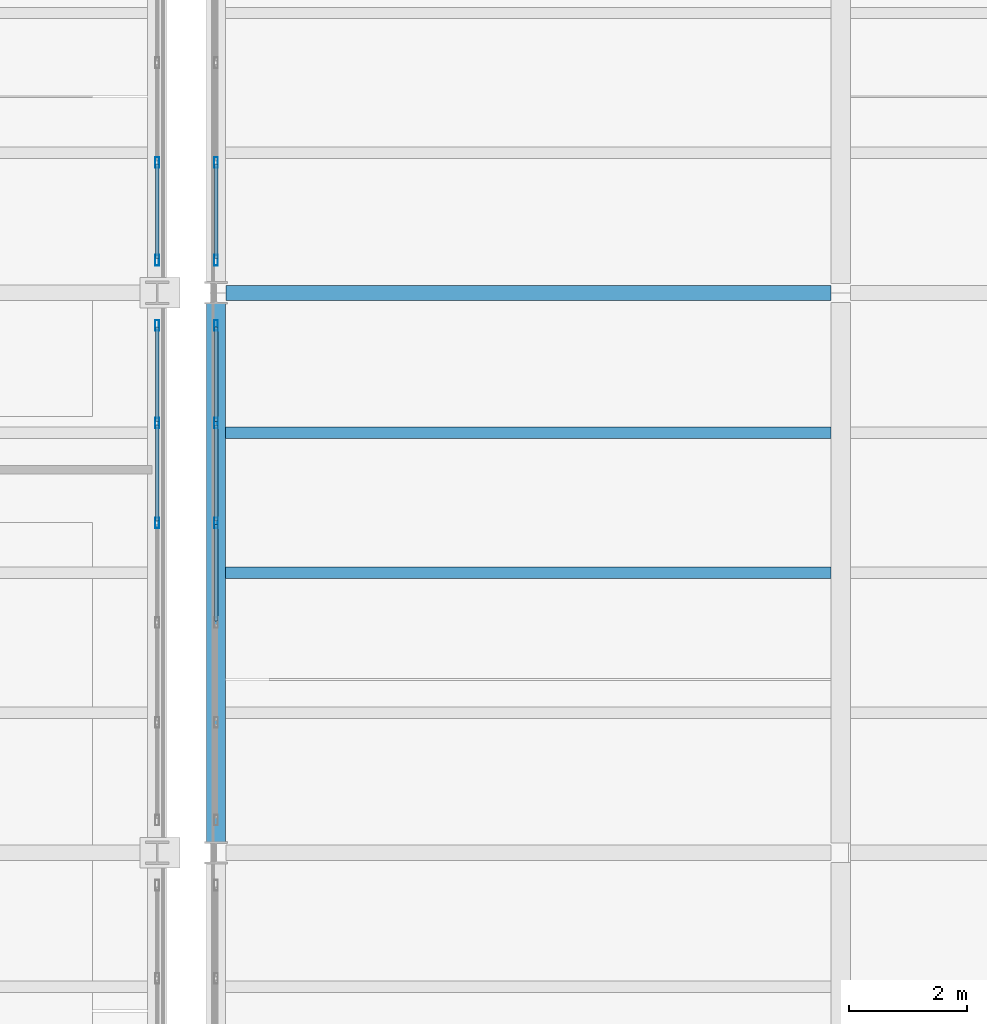
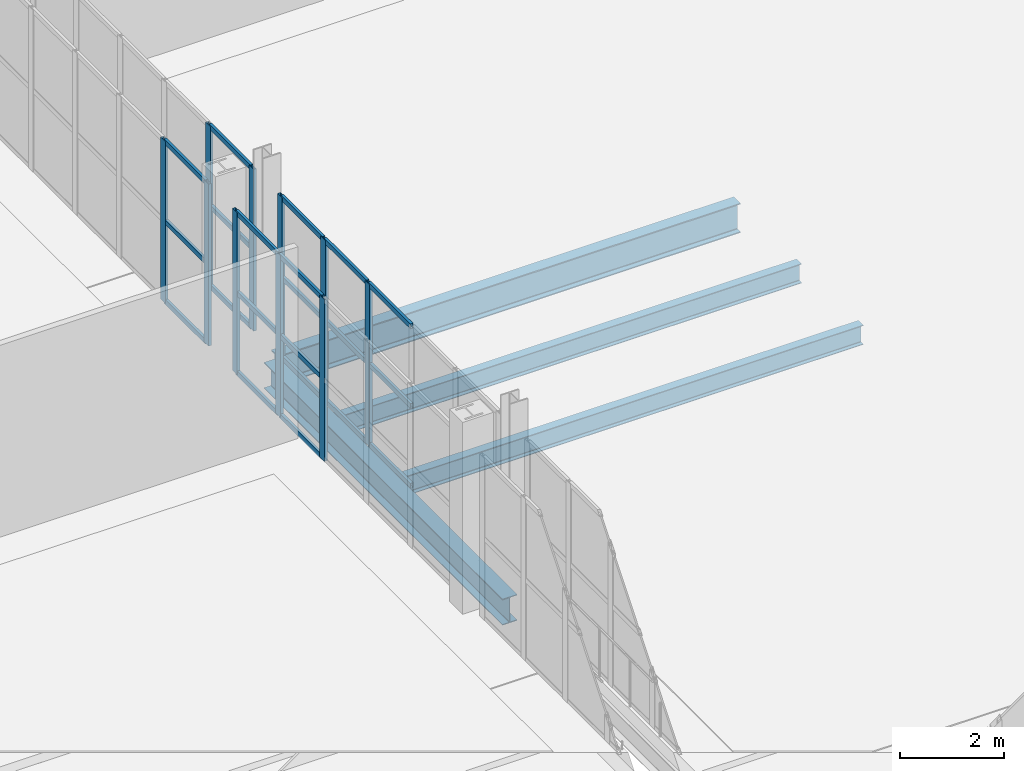
# One storey, part 36 of 156: 31 members, 4 beams, 4 elements without a shape of their own.
"""IFC4 building model written with IfcOpenShell, lengths in metres."""

from ifc_helpers import new_model, si_unit, direction, frame, origin, origin_2d, place, context, subcontext, project, spatial, hollow_rectangle, i_section, extrude, material, material_profile, profile_set, type_object, element, aggregate, save


model = new_model("IFC4")

# Units and contexts
model_context = context("Model", 3, precision=1e-05, world=origin(), true_north=direction((0.0, 1.0)))
body_context = subcontext(model_context, "Body", "Model", "MODEL_VIEW")
ifc_project = project(units=[si_unit("LENGTHUNIT", "METRE"), si_unit("AREAUNIT", "SQUARE_METRE"), si_unit("VOLUMEUNIT", "CUBIC_METRE"), si_unit("PLANEANGLEUNIT", "RADIAN"), si_unit("MASSUNIT", "GRAM", prefix="KILO")], contexts=[model_context])

# Site, building, storey
site_placement = place(None, origin())
site = spatial("IfcSite", under=ifc_project, at=site_placement, CompositionType="ELEMENT")
building_placement = place(site_placement, origin())
building = spatial("IfcBuilding", under=site, at=building_placement, Name="Caurita Quay Ferry Terminal", CompositionType="ELEMENT")
storey_placement = place(building_placement, frame((0.0, 0.0, 5.39990234375)))
storey = spatial("IfcBuildingStorey", under=building, at=storey_placement, Name="L01", CompositionType="ELEMENT", Elevation=5.39990234375)

# Beams
ifc_material_1 = material(Name="Structural steel ASTM A992 Gr. 50", Category="steel")
ifc_material_profile_1 = material_profile(ifc_material_1, i_section(OverallWidth=0.3251953125, OverallDepth=0.612060546875, WebThickness=0.0126953125, FlangeThickness=0.01904296875, FilletRadius=0.01513671875, at=origin_2d()), Name="W24X104")
ifc_profile_set_1 = profile_set([ifc_material_profile_1], Name="Structural steel ASTM A992 Gr. 50")
beam_type_1 = type_object("IfcBeamType", Name="BM-GR-W24A", PredefinedType="BEAM", material=ifc_profile_set_1)
beam_1_placement = place(storey_placement, frame((88.60009765625, 43.8671875, -0.60595703125), z_axis=(0.0, 1.0, 0.0), x_axis=(-1.0, 0.0, 0.0)))
element("IfcBeam", 1, at=beam_1_placement, inside=storey, type_object=beam_type_1, Name="L01 Beam BM-V2-L01-Y-886-439", PredefinedType="BEAM", context=body_context, shape_type="SweptSolid", body=[
    extrude(i_section(OverallWidth=0.3251953125, OverallDepth=0.612060546875, WebThickness=0.0126953125, FlangeThickness=0.01904296875, FilletRadius=0.01513671875, at=origin_2d()), origin(), (0.0, 0.0, 1.0), 9.16552734375),
])
ifc_material_profile_2 = material_profile(ifc_material_1, i_section(OverallWidth=0.256591796875, OverallDepth=0.693359375, WebThickness=0.014404296875, FlangeThickness=0.023681640625, FilletRadius=0.017822265625, at=origin_2d()), Name="W27X114")
ifc_profile_set_2 = profile_set([ifc_material_profile_2], Name="Structural steel ASTM A992 Gr. 50")
beam_type_2 = type_object("IfcBeamType", Name="BM-GR-W27A", PredefinedType="BEAM", material=ifc_profile_set_2)
beam_2_placement = place(storey_placement, frame((88.76953125, 53.199951171875, -0.646484375), z_axis=(1.0, 0.0, 0.0), x_axis=(0.0, 1.0, 0.0)))
element("IfcBeam", 2, at=beam_2_placement, inside=storey, type_object=beam_type_2, Name="L01 Beam BM-V2-L01-X-888-532", PredefinedType="BEAM", context=body_context, shape_type="SweptSolid", body=[
    extrude(i_section(OverallWidth=0.256591796875, OverallDepth=0.693359375, WebThickness=0.014404296875, FlangeThickness=0.023681640625, FilletRadius=0.017822265625, at=origin_2d()), origin(), (0.0, 0.0, 1.0), 10.26220703125),
])
ifc_material_profile_3 = material_profile(ifc_material_1, i_section(OverallWidth=0.1904296875, OverallDepth=0.457275390625, WebThickness=0.009033203125, FlangeThickness=0.014404296875, FilletRadius=0.0126953125, at=origin_2d()), Name="W18X50")
ifc_profile_set_3 = profile_set([ifc_material_profile_3], Name="Structural steel ASTM A992 Gr. 50")
beam_type_3 = type_object("IfcBeamType", Name="BM-JS-W18B", PredefinedType="JOIST", material=ifc_profile_set_3)
for number, where, z_axis, x_axis, name in (
    (3, (88.762451171875, 48.449951171875, -0.528564453125), (1.0, 0.0, 0.0), (0.0, 1.0, 0.0), "L01 Beam JS-V2-L01-005"),
    (4, (88.762451171875, 50.824951171875, -0.528564453125), (1.0, 0.0, 0.0), (0.0, 1.0, 0.0), "L01 Beam JS-V2-L01-006"),
):
    element("IfcBeam", number, at=place(storey_placement, frame(where, z_axis=z_axis, x_axis=x_axis)), inside=storey, type_object=beam_type_3, Name=name, PredefinedType="JOIST", context=body_context, shape_type="SweptSolid", body=[
        extrude(i_section(OverallWidth=0.1904296875, OverallDepth=0.457275390625, WebThickness=0.009033203125, FlangeThickness=0.014404296875, FilletRadius=0.0126953125, at=origin_2d()), origin(), (0.0, 0.0, 1.0), 10.275146484375),
    ])

# Curtain wall, members
ifc_material_2 = material(Name="Laminated solar-control insulated glass", Category="glass")
curtain_wall_type = type_object("IfcCurtainWallType", Name="CW-SYS-12", PredefinedType="NOTDEFINED", material=ifc_material_2)
curtain_wall_1_placement = place(storey_placement, origin())
curtain_wall_1 = element("IfcCurtainWall", 5, at=curtain_wall_1_placement, inside=storey, type_object=curtain_wall_type, Name="Concourse Gable Curtain Wall 081", PredefinedType="NOTDEFINED")
ifc_material_3 = material(Name="Anodized aluminium 6063-T6", Category="aluminium")
ifc_material_profile_4 = material_profile(ifc_material_3, hollow_rectangle(XDim=0.06494140625, YDim=0.179931640625, WallThickness=0.00390625, at=origin_2d()), Name="ALU-MUL-65X180")
ifc_profile_set_4 = profile_set([ifc_material_profile_4], Name="Anodized aluminium 6063-T6")
member_type_1 = type_object("IfcMemberType", Name="CW-MUL-180", PredefinedType="MULLION", material=ifc_profile_set_4)
member_1_placement = place(storey_placement, frame((87.60009765625, 49.2958984375, 0.0), z_axis=(0.0, 0.0, 1.0), x_axis=(-1.0, 0.0, 0.0)))
member_1 = element("IfcMember", 6, at=member_1_placement, type_object=member_type_1, Name="CW-GBL-081 Mullion 4", PredefinedType="MULLION", context=body_context, shape_type="SweptSolid", body=[
    extrude(hollow_rectangle(XDim=0.06494140625, YDim=0.179931640625, WallThickness=0.00390625, at=origin_2d()), origin(), (0.0, 0.0, 1.0), 3.800048828125),
])
member_2_placement = place(storey_placement, frame((87.60009765625, 50.988037109375, 0.0), z_axis=(0.0, 0.0, 1.0), x_axis=(-1.0, 0.0, 0.0)))
member_2 = element("IfcMember", 7, at=member_2_placement, type_object=member_type_1, Name="CW-GBL-081 Mullion 5", PredefinedType="MULLION", context=body_context, shape_type="SweptSolid", body=[
    extrude(hollow_rectangle(XDim=0.06494140625, YDim=0.179931640625, WallThickness=0.00390625, at=origin_2d()), origin(), (0.0, 0.0, 1.0), 3.800048828125),
])
member_3_placement = place(storey_placement, frame((87.60009765625, 52.6474609375, 0.0), z_axis=(0.0, 0.0, 1.0), x_axis=(-1.0, 0.0, 0.0)))
member_3 = element("IfcMember", 8, at=member_3_placement, type_object=member_type_1, Name="CW-GBL-081 Mullion 6", PredefinedType="MULLION", context=body_context, shape_type="SweptSolid", body=[
    extrude(hollow_rectangle(XDim=0.06494140625, YDim=0.179931640625, WallThickness=0.00390625, at=origin_2d()), origin(), (0.0, 0.0, 1.0), 3.800048828125),
])

curtain_wall_2_placement = place(storey_placement, origin())
curtain_wall_2 = element("IfcCurtainWall", 9, at=curtain_wall_2_placement, inside=storey, type_object=curtain_wall_type, Name="Concourse Gable Curtain Wall 082", PredefinedType="NOTDEFINED")
member_4_placement = place(storey_placement, frame((87.60009765625, 53.75244140625, 0.0), z_axis=(0.0, 0.0, 1.0), x_axis=(-1.0, 0.0, 0.0)))
member_4 = element("IfcMember", 10, at=member_4_placement, type_object=member_type_1, Name="CW-GBL-082 Mullion 1", PredefinedType="MULLION", context=body_context, shape_type="SweptSolid", body=[
    extrude(hollow_rectangle(XDim=0.06494140625, YDim=0.179931640625, WallThickness=0.00390625, at=origin_2d()), origin(), (0.0, 0.0, 1.0), 3.800048828125),
])
member_5_placement = place(storey_placement, frame((87.60009765625, 55.412109375, 0.0), z_axis=(0.0, 0.0, 1.0), x_axis=(-1.0, 0.0, 0.0)))
member_5 = element("IfcMember", 11, at=member_5_placement, type_object=member_type_1, Name="CW-GBL-082 Mullion 2", PredefinedType="MULLION", context=body_context, shape_type="SweptSolid", body=[
    extrude(hollow_rectangle(XDim=0.06494140625, YDim=0.179931640625, WallThickness=0.00390625, at=origin_2d()), origin(), (0.0, 0.0, 1.0), 3.800048828125),
])

curtain_wall_3_placement = place(storey_placement, origin())
curtain_wall_3 = element("IfcCurtainWall", 12, at=curtain_wall_3_placement, inside=storey, type_object=curtain_wall_type, Name="Concourse Gable Curtain Wall 084", PredefinedType="NOTDEFINED")
member_6_placement = place(storey_placement, frame((88.60009765625, 49.2958984375, 0.0), z_axis=(0.0, 0.0, 1.0), x_axis=(-1.0, 0.0, 0.0)))
member_6 = element("IfcMember", 13, at=member_6_placement, type_object=member_type_1, Name="CW-GBL-084 Mullion 4", PredefinedType="MULLION", context=body_context, shape_type="SweptSolid", body=[
    extrude(hollow_rectangle(XDim=0.06494140625, YDim=0.179931640625, WallThickness=0.00390625, at=origin_2d()), origin(), (0.0, 0.0, 1.0), 3.800048828125),
])
member_7_placement = place(storey_placement, frame((88.60009765625, 50.988037109375, 0.0), z_axis=(0.0, 0.0, 1.0), x_axis=(-1.0, 0.0, 0.0)))
member_7 = element("IfcMember", 14, at=member_7_placement, type_object=member_type_1, Name="CW-GBL-084 Mullion 5", PredefinedType="MULLION", context=body_context, shape_type="SweptSolid", body=[
    extrude(hollow_rectangle(XDim=0.06494140625, YDim=0.179931640625, WallThickness=0.00390625, at=origin_2d()), origin(), (0.0, 0.0, 1.0), 3.800048828125),
])
member_8_placement = place(storey_placement, frame((88.60009765625, 52.6474609375, 0.0), z_axis=(0.0, 0.0, 1.0), x_axis=(-1.0, 0.0, 0.0)))
member_8 = element("IfcMember", 15, at=member_8_placement, type_object=member_type_1, Name="CW-GBL-084 Mullion 6", PredefinedType="MULLION", context=body_context, shape_type="SweptSolid", body=[
    extrude(hollow_rectangle(XDim=0.06494140625, YDim=0.179931640625, WallThickness=0.00390625, at=origin_2d()), origin(), (0.0, 0.0, 1.0), 3.800048828125),
])

curtain_wall_4_placement = place(storey_placement, origin())
curtain_wall_4 = element("IfcCurtainWall", 16, at=curtain_wall_4_placement, inside=storey, type_object=curtain_wall_type, Name="Concourse Gable Curtain Wall 085", PredefinedType="NOTDEFINED")
member_9_placement = place(storey_placement, frame((88.60009765625, 53.75244140625, 0.0), z_axis=(0.0, 0.0, 1.0), x_axis=(-1.0, 0.0, 0.0)))
member_9 = element("IfcMember", 17, at=member_9_placement, type_object=member_type_1, Name="CW-GBL-085 Mullion 1", PredefinedType="MULLION", context=body_context, shape_type="SweptSolid", body=[
    extrude(hollow_rectangle(XDim=0.06494140625, YDim=0.179931640625, WallThickness=0.00390625, at=origin_2d()), origin(), (0.0, 0.0, 1.0), 3.800048828125),
])
member_10_placement = place(storey_placement, frame((88.60009765625, 55.412109375, 0.0), z_axis=(0.0, 0.0, 1.0), x_axis=(-1.0, 0.0, 0.0)))
member_10 = element("IfcMember", 18, at=member_10_placement, type_object=member_type_1, Name="CW-GBL-085 Mullion 2", PredefinedType="MULLION", context=body_context, shape_type="SweptSolid", body=[
    extrude(hollow_rectangle(XDim=0.06494140625, YDim=0.179931640625, WallThickness=0.00390625, at=origin_2d()), origin(), (0.0, 0.0, 1.0), 3.800048828125),
])

# Member
ifc_material_profile_5 = material_profile(ifc_material_3, hollow_rectangle(XDim=0.06005859375, YDim=0.114990234375, WallThickness=0.00341796875, at=origin_2d()), Name="ALU-TRN-60X115")
ifc_profile_set_5 = profile_set([ifc_material_profile_5], Name="Anodized aluminium 6063-T6")
member_type_2 = type_object("IfcMemberType", Name="CW-TRN-115", PredefinedType="USERDEFINED", material=ifc_profile_set_5)
member_11_placement = place(storey_placement, frame((87.60009765625, 49.326416015625, 0.030029296875), z_axis=(0.0, 1.0, 0.0), x_axis=(-1.0, 0.0, 0.0)))
member_11 = element("IfcMember", 19, at=member_11_placement, type_object=member_type_2, Name="CW-GBL-081 Transom 10", ObjectType="TRANSOM", PredefinedType="USERDEFINED", context=body_context, shape_type="SweptSolid", body=[
    extrude(hollow_rectangle(XDim=0.06005859375, YDim=0.114990234375, WallThickness=0.00341796875, at=origin_2d()), origin(), (0.0, 0.0, 1.0), 1.631103515625),
])

member_12_placement = place(storey_placement, frame((87.60009765625, 49.326416015625, 1.900146484375), z_axis=(0.0, 1.0, 0.0), x_axis=(-1.0, 0.0, 0.0)))
member_12 = element("IfcMember", 20, at=member_12_placement, type_object=member_type_2, Name="CW-GBL-081 Transom 11", ObjectType="TRANSOM", PredefinedType="USERDEFINED", context=body_context, shape_type="SweptSolid", body=[
    extrude(hollow_rectangle(XDim=0.06005859375, YDim=0.114990234375, WallThickness=0.00341796875, at=origin_2d()), origin(), (0.0, 0.0, 1.0), 1.631103515625),
])

member_13_placement = place(storey_placement, frame((87.60009765625, 49.326416015625, 3.77001953125), z_axis=(0.0, 1.0, 0.0), x_axis=(-1.0, 0.0, 0.0)))
member_13 = element("IfcMember", 21, at=member_13_placement, type_object=member_type_2, Name="CW-GBL-081 Transom 12", ObjectType="TRANSOM", PredefinedType="USERDEFINED", context=body_context, shape_type="SweptSolid", body=[
    extrude(hollow_rectangle(XDim=0.06005859375, YDim=0.114990234375, WallThickness=0.00341796875, at=origin_2d()), origin(), (0.0, 0.0, 1.0), 1.631103515625),
])

member_14_placement = place(storey_placement, frame((87.60009765625, 51.0185546875, 0.030029296875), z_axis=(0.0, 1.0, 0.0), x_axis=(-1.0, 0.0, 0.0)))
member_14 = element("IfcMember", 22, at=member_14_placement, type_object=member_type_2, Name="CW-GBL-081 Transom 13", ObjectType="TRANSOM", PredefinedType="USERDEFINED", context=body_context, shape_type="SweptSolid", body=[
    extrude(hollow_rectangle(XDim=0.06005859375, YDim=0.114990234375, WallThickness=0.00341796875, at=origin_2d()), origin(), (0.0, 0.0, 1.0), 1.598388671875),
])

member_15_placement = place(storey_placement, frame((87.60009765625, 51.0185546875, 1.900146484375), z_axis=(0.0, 1.0, 0.0), x_axis=(-1.0, 0.0, 0.0)))
member_15 = element("IfcMember", 23, at=member_15_placement, type_object=member_type_2, Name="CW-GBL-081 Transom 14", ObjectType="TRANSOM", PredefinedType="USERDEFINED", context=body_context, shape_type="SweptSolid", body=[
    extrude(hollow_rectangle(XDim=0.06005859375, YDim=0.114990234375, WallThickness=0.00341796875, at=origin_2d()), origin(), (0.0, 0.0, 1.0), 1.598388671875),
])

member_16_placement = place(storey_placement, frame((87.60009765625, 51.0185546875, 3.77001953125), z_axis=(0.0, 1.0, 0.0), x_axis=(-1.0, 0.0, 0.0)))
member_16 = element("IfcMember", 24, at=member_16_placement, type_object=member_type_2, Name="CW-GBL-081 Transom 15", ObjectType="TRANSOM", PredefinedType="USERDEFINED", context=body_context, shape_type="SweptSolid", body=[
    extrude(hollow_rectangle(XDim=0.06005859375, YDim=0.114990234375, WallThickness=0.00341796875, at=origin_2d()), origin(), (0.0, 0.0, 1.0), 1.598388671875),
])

aggregate(curtain_wall_1, [member_1, member_2, member_3, member_11, member_12, member_13, member_14, member_15, member_16])

member_17_placement = place(storey_placement, frame((87.60009765625, 53.782958984375, 0.030029296875), z_axis=(0.0, 1.0, 0.0), x_axis=(-1.0, 0.0, 0.0)))
member_17 = element("IfcMember", 25, at=member_17_placement, type_object=member_type_2, Name="CW-GBL-082 Transom 1", ObjectType="TRANSOM", PredefinedType="USERDEFINED", context=body_context, shape_type="SweptSolid", body=[
    extrude(hollow_rectangle(XDim=0.06005859375, YDim=0.114990234375, WallThickness=0.00341796875, at=origin_2d()), origin(), (0.0, 0.0, 1.0), 1.5986328125),
])

member_18_placement = place(storey_placement, frame((87.60009765625, 53.782958984375, 1.900146484375), z_axis=(0.0, 1.0, 0.0), x_axis=(-1.0, 0.0, 0.0)))
member_18 = element("IfcMember", 26, at=member_18_placement, type_object=member_type_2, Name="CW-GBL-082 Transom 2", ObjectType="TRANSOM", PredefinedType="USERDEFINED", context=body_context, shape_type="SweptSolid", body=[
    extrude(hollow_rectangle(XDim=0.06005859375, YDim=0.114990234375, WallThickness=0.00341796875, at=origin_2d()), origin(), (0.0, 0.0, 1.0), 1.5986328125),
])

member_19_placement = place(storey_placement, frame((87.60009765625, 53.782958984375, 3.77001953125), z_axis=(0.0, 1.0, 0.0), x_axis=(-1.0, 0.0, 0.0)))
member_19 = element("IfcMember", 27, at=member_19_placement, type_object=member_type_2, Name="CW-GBL-082 Transom 3", ObjectType="TRANSOM", PredefinedType="USERDEFINED", context=body_context, shape_type="SweptSolid", body=[
    extrude(hollow_rectangle(XDim=0.06005859375, YDim=0.114990234375, WallThickness=0.00341796875, at=origin_2d()), origin(), (0.0, 0.0, 1.0), 1.5986328125),
])

aggregate(curtain_wall_2, [member_4, member_5, member_17, member_18, member_19])

member_20_placement = place(storey_placement, frame((88.60009765625, 47.634521484375, 0.030029296875), z_axis=(0.0, 1.0, 0.0), x_axis=(-1.0, 0.0, 0.0)))
member_20 = element("IfcMember", 28, at=member_20_placement, type_object=member_type_2, Name="CW-GBL-084 Transom 7", ObjectType="TRANSOM", PredefinedType="USERDEFINED", context=body_context, shape_type="SweptSolid", body=[
    extrude(hollow_rectangle(XDim=0.06005859375, YDim=0.114990234375, WallThickness=0.00341796875, at=origin_2d()), origin(), (0.0, 0.0, 1.0), 1.630859375),
])

member_21_placement = place(storey_placement, frame((88.60009765625, 47.634521484375, 1.900146484375), z_axis=(0.0, 1.0, 0.0), x_axis=(-1.0, 0.0, 0.0)))
member_21 = element("IfcMember", 29, at=member_21_placement, type_object=member_type_2, Name="CW-GBL-084 Transom 8", ObjectType="TRANSOM", PredefinedType="USERDEFINED", context=body_context, shape_type="SweptSolid", body=[
    extrude(hollow_rectangle(XDim=0.06005859375, YDim=0.114990234375, WallThickness=0.00341796875, at=origin_2d()), origin(), (0.0, 0.0, 1.0), 1.630859375),
])

member_22_placement = place(storey_placement, frame((88.60009765625, 47.634521484375, 3.77001953125), z_axis=(0.0, 1.0, 0.0), x_axis=(-1.0, 0.0, 0.0)))
member_22 = element("IfcMember", 30, at=member_22_placement, type_object=member_type_2, Name="CW-GBL-084 Transom 9", ObjectType="TRANSOM", PredefinedType="USERDEFINED", context=body_context, shape_type="SweptSolid", body=[
    extrude(hollow_rectangle(XDim=0.06005859375, YDim=0.114990234375, WallThickness=0.00341796875, at=origin_2d()), origin(), (0.0, 0.0, 1.0), 1.630859375),
])

member_23_placement = place(storey_placement, frame((88.60009765625, 49.326416015625, 0.030029296875), z_axis=(0.0, 1.0, 0.0), x_axis=(-1.0, 0.0, 0.0)))
member_23 = element("IfcMember", 31, at=member_23_placement, type_object=member_type_2, Name="CW-GBL-084 Transom 10", ObjectType="TRANSOM", PredefinedType="USERDEFINED", context=body_context, shape_type="SweptSolid", body=[
    extrude(hollow_rectangle(XDim=0.06005859375, YDim=0.114990234375, WallThickness=0.00341796875, at=origin_2d()), origin(), (0.0, 0.0, 1.0), 1.631103515625),
])

member_24_placement = place(storey_placement, frame((88.60009765625, 49.326416015625, 1.900146484375), z_axis=(0.0, 1.0, 0.0), x_axis=(-1.0, 0.0, 0.0)))
member_24 = element("IfcMember", 32, at=member_24_placement, type_object=member_type_2, Name="CW-GBL-084 Transom 11", ObjectType="TRANSOM", PredefinedType="USERDEFINED", context=body_context, shape_type="SweptSolid", body=[
    extrude(hollow_rectangle(XDim=0.06005859375, YDim=0.114990234375, WallThickness=0.00341796875, at=origin_2d()), origin(), (0.0, 0.0, 1.0), 1.631103515625),
])

member_25_placement = place(storey_placement, frame((88.60009765625, 49.326416015625, 3.77001953125), z_axis=(0.0, 1.0, 0.0), x_axis=(-1.0, 0.0, 0.0)))
member_25 = element("IfcMember", 33, at=member_25_placement, type_object=member_type_2, Name="CW-GBL-084 Transom 12", ObjectType="TRANSOM", PredefinedType="USERDEFINED", context=body_context, shape_type="SweptSolid", body=[
    extrude(hollow_rectangle(XDim=0.06005859375, YDim=0.114990234375, WallThickness=0.00341796875, at=origin_2d()), origin(), (0.0, 0.0, 1.0), 1.631103515625),
])

member_26_placement = place(storey_placement, frame((88.60009765625, 51.0185546875, 0.030029296875), z_axis=(0.0, 1.0, 0.0), x_axis=(-1.0, 0.0, 0.0)))
member_26 = element("IfcMember", 34, at=member_26_placement, type_object=member_type_2, Name="CW-GBL-084 Transom 13", ObjectType="TRANSOM", PredefinedType="USERDEFINED", context=body_context, shape_type="SweptSolid", body=[
    extrude(hollow_rectangle(XDim=0.06005859375, YDim=0.114990234375, WallThickness=0.00341796875, at=origin_2d()), origin(), (0.0, 0.0, 1.0), 1.598388671875),
])

member_27_placement = place(storey_placement, frame((88.60009765625, 51.0185546875, 1.900146484375), z_axis=(0.0, 1.0, 0.0), x_axis=(-1.0, 0.0, 0.0)))
member_27 = element("IfcMember", 35, at=member_27_placement, type_object=member_type_2, Name="CW-GBL-084 Transom 14", ObjectType="TRANSOM", PredefinedType="USERDEFINED", context=body_context, shape_type="SweptSolid", body=[
    extrude(hollow_rectangle(XDim=0.06005859375, YDim=0.114990234375, WallThickness=0.00341796875, at=origin_2d()), origin(), (0.0, 0.0, 1.0), 1.598388671875),
])

member_28_placement = place(storey_placement, frame((88.60009765625, 51.0185546875, 3.77001953125), z_axis=(0.0, 1.0, 0.0), x_axis=(-1.0, 0.0, 0.0)))
member_28 = element("IfcMember", 36, at=member_28_placement, type_object=member_type_2, Name="CW-GBL-084 Transom 15", ObjectType="TRANSOM", PredefinedType="USERDEFINED", context=body_context, shape_type="SweptSolid", body=[
    extrude(hollow_rectangle(XDim=0.06005859375, YDim=0.114990234375, WallThickness=0.00341796875, at=origin_2d()), origin(), (0.0, 0.0, 1.0), 1.598388671875),
])

aggregate(curtain_wall_3, [member_6, member_7, member_8, member_20, member_21, member_22, member_23, member_24, member_25, member_26, member_27, member_28])

member_29_placement = place(storey_placement, frame((88.60009765625, 53.782958984375, 0.030029296875), z_axis=(0.0, 1.0, 0.0), x_axis=(-1.0, 0.0, 0.0)))
member_29 = element("IfcMember", 37, at=member_29_placement, type_object=member_type_2, Name="CW-GBL-085 Transom 1", ObjectType="TRANSOM", PredefinedType="USERDEFINED", context=body_context, shape_type="SweptSolid", body=[
    extrude(hollow_rectangle(XDim=0.06005859375, YDim=0.114990234375, WallThickness=0.00341796875, at=origin_2d()), origin(), (0.0, 0.0, 1.0), 1.5986328125),
])

member_30_placement = place(storey_placement, frame((88.60009765625, 53.782958984375, 1.900146484375), z_axis=(0.0, 1.0, 0.0), x_axis=(-1.0, 0.0, 0.0)))
member_30 = element("IfcMember", 38, at=member_30_placement, type_object=member_type_2, Name="CW-GBL-085 Transom 2", ObjectType="TRANSOM", PredefinedType="USERDEFINED", context=body_context, shape_type="SweptSolid", body=[
    extrude(hollow_rectangle(XDim=0.06005859375, YDim=0.114990234375, WallThickness=0.00341796875, at=origin_2d()), origin(), (0.0, 0.0, 1.0), 1.5986328125),
])

member_31_placement = place(storey_placement, frame((88.60009765625, 53.782958984375, 3.77001953125), z_axis=(0.0, 1.0, 0.0), x_axis=(-1.0, 0.0, 0.0)))
member_31 = element("IfcMember", 39, at=member_31_placement, type_object=member_type_2, Name="CW-GBL-085 Transom 3", ObjectType="TRANSOM", PredefinedType="USERDEFINED", context=body_context, shape_type="SweptSolid", body=[
    extrude(hollow_rectangle(XDim=0.06005859375, YDim=0.114990234375, WallThickness=0.00341796875, at=origin_2d()), origin(), (0.0, 0.0, 1.0), 1.5986328125),
])

aggregate(curtain_wall_4, [member_9, member_10, member_29, member_30, member_31])

save(model, "model.ifc")
